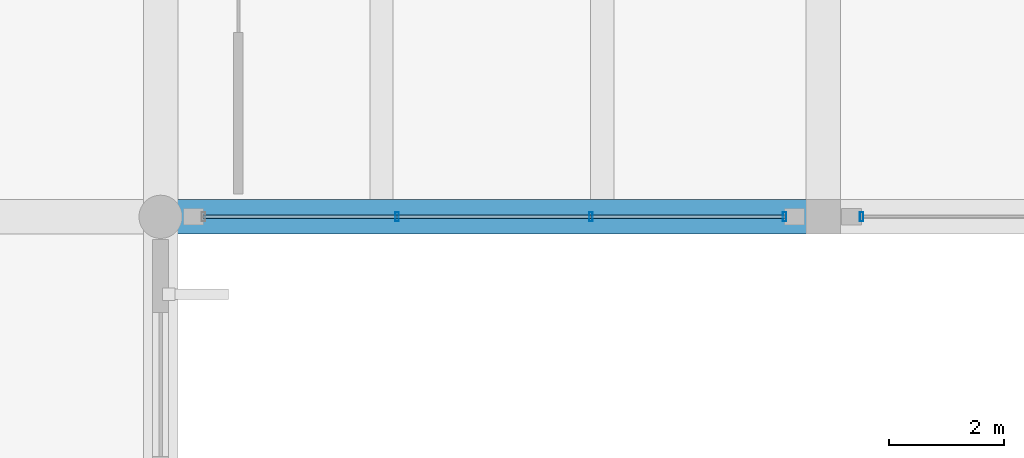
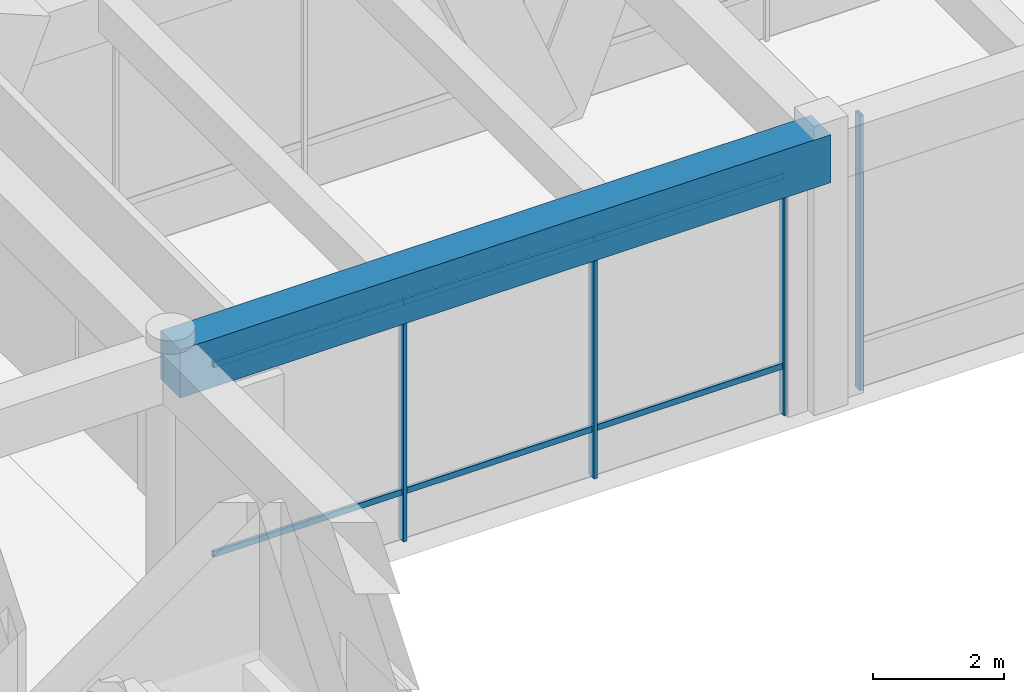
# One storey, part 84 of 148: 10 members, 1 beam, 2 elements without a shape of their own.
"""IFC4 building model written with IfcOpenShell, lengths in metres."""

from ifc_helpers import new_model, si_unit, direction, frame, origin, origin_2d, place, context, subcontext, project, spatial, rectangle, hollow_rectangle, extrude, material, material_profile, profile_set, type_object, element, aggregate, save


model = new_model("IFC4")

# Units and contexts
model_context = context("Model", 3, precision=1e-05, world=origin(), true_north=direction((0.0, 1.0)))
body_context = subcontext(model_context, "Body", "Model", "MODEL_VIEW")
ifc_project = project(units=[si_unit("LENGTHUNIT", "METRE"), si_unit("AREAUNIT", "SQUARE_METRE"), si_unit("VOLUMEUNIT", "CUBIC_METRE"), si_unit("PLANEANGLEUNIT", "RADIAN"), si_unit("MASSUNIT", "GRAM", prefix="KILO")], contexts=[model_context])

# Site, building, storey
site_placement = place(None, origin())
site = spatial("IfcSite", under=ifc_project, at=site_placement, CompositionType="ELEMENT")
building_placement = place(site_placement, origin())
building = spatial("IfcBuilding", under=site, at=building_placement, Name="Ologun Quay Terminus", CompositionType="ELEMENT")
storey_placement = place(building_placement, frame((0.0, 0.0, 8.39990234375)))
storey = spatial("IfcBuildingStorey", under=building, at=storey_placement, Name="L02", CompositionType="ELEMENT", Elevation=8.39990234375)

# Curtain wall, members
ifc_material_1 = material(Name="Aluminium 6063-T6", Category="aluminium")
curtain_wall_type = type_object("IfcCurtainWallType", Name="Concourse Departure Curtain Wall 10700x4950", PredefinedType="USERDEFINED", material=ifc_material_1)
curtain_wall_1_placement = place(storey_placement, origin())
curtain_wall_1 = element("IfcCurtainWall", 1, at=curtain_wall_1_placement, inside=storey, type_object=curtain_wall_type, Name="CW-05 Curtain Wall CW-L02-030", ObjectType="UNITISED CURTAIN WALL", PredefinedType="USERDEFINED")
ifc_material_2 = material(Name="Aluminium 6063-T6", Category="aluminium")
ifc_material_profile_1 = material_profile(ifc_material_2, hollow_rectangle(XDim=0.06005859375, YDim=0.159912109375, WallThickness=0.00390625, at=origin_2d()), Name="ALU 160x60x4")
ifc_profile_set_1 = profile_set([ifc_material_profile_1], Name="Aluminium 6063-T6")
member_type_1 = type_object("IfcMemberType", Name="Curtain Wall Standard Mullion 160x65", PredefinedType="MULLION", material=ifc_profile_set_1)
member_1_placement = place(storey_placement, frame((130.606689453125, 27.199951171875, 0.0), z_axis=(0.0, 0.0, 1.0), x_axis=(1.0, 0.0, 0.0)))
member_1 = element("IfcMember", 2, at=member_1_placement, type_object=member_type_1, Name="CW-L02-030 Mullion 2", PredefinedType="MULLION", context=body_context, shape_type="SweptSolid", body=[
    extrude(hollow_rectangle(XDim=0.06005859375, YDim=0.159912109375, WallThickness=0.00390625, at=origin_2d()), origin(), (0.0, 0.0, 1.0), 5.14013671875),
])
member_2_placement = place(storey_placement, frame((133.96826171875, 27.199951171875, 0.0), z_axis=(0.0, 0.0, 1.0), x_axis=(1.0, 0.0, 0.0)))
member_2 = element("IfcMember", 3, at=member_2_placement, type_object=member_type_1, Name="CW-L02-030 Mullion 3", PredefinedType="MULLION", context=body_context, shape_type="SweptSolid", body=[
    extrude(hollow_rectangle(XDim=0.06005859375, YDim=0.159912109375, WallThickness=0.00390625, at=origin_2d()), origin(), (0.0, 0.0, 1.0), 5.14013671875),
])
member_3_placement = place(storey_placement, frame((137.330078125, 27.199951171875, 0.0), z_axis=(0.0, 0.0, 1.0), x_axis=(1.0, 0.0, 0.0)))
member_3 = element("IfcMember", 4, at=member_3_placement, type_object=member_type_1, Name="CW-L02-030 Mullion 4", PredefinedType="MULLION", context=body_context, shape_type="SweptSolid", body=[
    extrude(hollow_rectangle(XDim=0.06005859375, YDim=0.159912109375, WallThickness=0.00390625, at=origin_2d()), origin(), (0.0, 0.0, 1.0), 5.14013671875),
])

# Curtain wall, member
curtain_wall_2_placement = place(storey_placement, origin())
curtain_wall_2 = element("IfcCurtainWall", 5, at=curtain_wall_2_placement, inside=storey, type_object=curtain_wall_type, Name="CW-05 Curtain Wall CW-L02-031", ObjectType="UNITISED CURTAIN WALL", PredefinedType="USERDEFINED")
member_4_placement = place(storey_placement, frame((138.669921875, 27.199951171875, 0.0), z_axis=(0.0, 0.0, 1.0), x_axis=(1.0, 0.0, 0.0)))
member_4 = element("IfcMember", 6, at=member_4_placement, type_object=member_type_1, Name="CW-L02-031 Mullion 1", PredefinedType="MULLION", context=body_context, shape_type="SweptSolid", body=[
    extrude(hollow_rectangle(XDim=0.06005859375, YDim=0.159912109375, WallThickness=0.00390625, at=origin_2d()), origin(), (0.0, 0.0, 1.0), 5.14013671875),
])
aggregate(curtain_wall_2, [member_4])

# Member
ifc_material_3 = material(Name="Aluminium 6063-T6", Category="aluminium")
ifc_material_profile_2 = material_profile(ifc_material_3, hollow_rectangle(XDim=0.054931640625, YDim=0.110107421875, WallThickness=0.00390625, at=origin_2d()), Name="ALU 110x55x4")
ifc_profile_set_2 = profile_set([ifc_material_profile_2], Name="Aluminium 6063-T6")
member_type_2 = type_object("IfcMemberType", Name="Curtain Wall Standard Transom 110x55", PredefinedType="USERDEFINED", material=ifc_profile_set_2)
member_5_placement = place(storey_placement, frame((127.2451171875, 27.199951171875, 0.900146484375), z_axis=(1.0, 0.0, 0.0), x_axis=(0.0, 1.0, 0.0)))
member_5 = element("IfcMember", 7, at=member_5_placement, type_object=member_type_2, Name="CW-L02-030 Transom B1-1", ObjectType="TRANSOM", PredefinedType="USERDEFINED", context=body_context, shape_type="SweptSolid", body=[
    extrude(hollow_rectangle(XDim=0.054931640625, YDim=0.110107421875, WallThickness=0.00390625, at=origin_2d()), origin(), (0.0, 0.0, 1.0), 3.361572265625),
])

member_6_placement = place(storey_placement, frame((127.2451171875, 27.199951171875, 4.440185546875), z_axis=(1.0, 0.0, 0.0), x_axis=(0.0, 1.0, 0.0)))
member_6 = element("IfcMember", 8, at=member_6_placement, type_object=member_type_2, Name="CW-L02-030 Transom B1-2", ObjectType="TRANSOM", PredefinedType="USERDEFINED", context=body_context, shape_type="SweptSolid", body=[
    extrude(hollow_rectangle(XDim=0.054931640625, YDim=0.110107421875, WallThickness=0.00390625, at=origin_2d()), origin(), (0.0, 0.0, 1.0), 3.361572265625),
])

member_7_placement = place(storey_placement, frame((130.606689453125, 27.199951171875, 0.900146484375), z_axis=(1.0, 0.0, 0.0), x_axis=(0.0, 1.0, 0.0)))
member_7 = element("IfcMember", 9, at=member_7_placement, type_object=member_type_2, Name="CW-L02-030 Transom B2-1", ObjectType="TRANSOM", PredefinedType="USERDEFINED", context=body_context, shape_type="SweptSolid", body=[
    extrude(hollow_rectangle(XDim=0.054931640625, YDim=0.110107421875, WallThickness=0.00390625, at=origin_2d()), origin(), (0.0, 0.0, 1.0), 3.361572265625),
])

member_8_placement = place(storey_placement, frame((130.606689453125, 27.199951171875, 4.440185546875), z_axis=(1.0, 0.0, 0.0), x_axis=(0.0, 1.0, 0.0)))
member_8 = element("IfcMember", 10, at=member_8_placement, type_object=member_type_2, Name="CW-L02-030 Transom B2-2", ObjectType="TRANSOM", PredefinedType="USERDEFINED", context=body_context, shape_type="SweptSolid", body=[
    extrude(hollow_rectangle(XDim=0.054931640625, YDim=0.110107421875, WallThickness=0.00390625, at=origin_2d()), origin(), (0.0, 0.0, 1.0), 3.361572265625),
])

member_9_placement = place(storey_placement, frame((133.96826171875, 27.199951171875, 0.900146484375), z_axis=(1.0, 0.0, 0.0), x_axis=(0.0, 1.0, 0.0)))
member_9 = element("IfcMember", 11, at=member_9_placement, type_object=member_type_2, Name="CW-L02-030 Transom B3-1", ObjectType="TRANSOM", PredefinedType="USERDEFINED", context=body_context, shape_type="SweptSolid", body=[
    extrude(hollow_rectangle(XDim=0.054931640625, YDim=0.110107421875, WallThickness=0.00390625, at=origin_2d()), origin(), (0.0, 0.0, 1.0), 3.36181640625),
])

member_10_placement = place(storey_placement, frame((133.96826171875, 27.199951171875, 4.440185546875), z_axis=(1.0, 0.0, 0.0), x_axis=(0.0, 1.0, 0.0)))
member_10 = element("IfcMember", 12, at=member_10_placement, type_object=member_type_2, Name="CW-L02-030 Transom B3-2", ObjectType="TRANSOM", PredefinedType="USERDEFINED", context=body_context, shape_type="SweptSolid", body=[
    extrude(hollow_rectangle(XDim=0.054931640625, YDim=0.110107421875, WallThickness=0.00390625, at=origin_2d()), origin(), (0.0, 0.0, 1.0), 3.36181640625),
])

aggregate(curtain_wall_1, [member_1, member_2, member_3, member_5, member_6, member_7, member_8, member_9, member_10])

# Beam
ifc_material_4 = material(Name="Concrete C40/50", Category="concrete")
ifc_material_profile_3 = material_profile(ifc_material_4, rectangle(XDim=0.60009765625, YDim=0.89990234375, at=origin_2d()), Name="RC 600x900")
ifc_profile_set_3 = profile_set([ifc_material_profile_3], Name="Concrete C40/50")
beam_type = type_object("IfcBeamType", Name="Station Frame Girder 600x900", PredefinedType="BEAM", material=ifc_profile_set_3)
beam_placement = place(storey_placement, frame((126.5, 27.199951171875, 4.7001953125), z_axis=(1.0, 0.0, 0.0), x_axis=(0.0, 1.0, 0.0)))
element("IfcBeam", 13, at=beam_placement, inside=storey, type_object=beam_type, Name="B3 Beam 12/D L02", PredefinedType="BEAM", context=body_context, shape_type="SweptSolid", body=[
    extrude(rectangle(XDim=0.60009765625, YDim=0.89990234375, at=origin_2d()), origin(), (0.0, 0.0, 1.0), 11.5),
])

save(model, "model.ifc")
